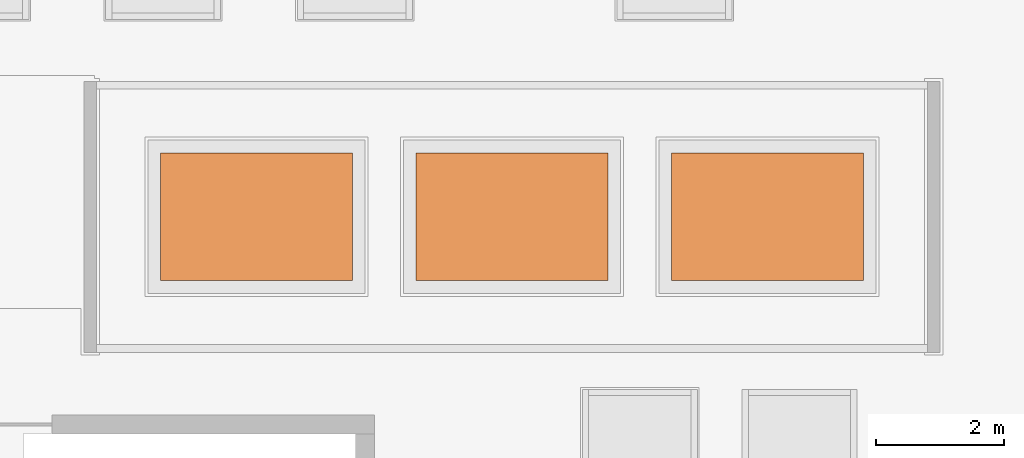
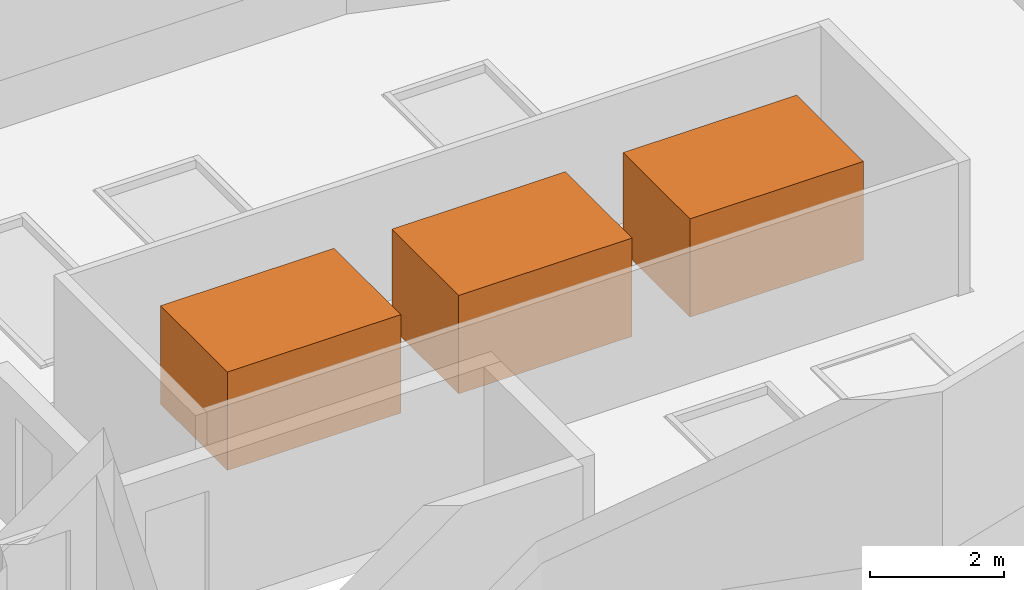
# One storey, part 4 of 4: 3 proxies.
"""IFC4 building model written with IfcOpenShell, lengths in metres."""

from ifc_helpers import new_model, si_unit, direction, frame, origin, origin_2d, place, context, subcontext, project, spatial, rectangle, extrude, material, type_object, element, save


model = new_model("IFC4")

# Units and contexts
model_context = context("Model", 3, precision=1e-05, world=origin(), true_north=direction((0.0, 1.0)))
body_context = subcontext(model_context, "Body", "Model", "MODEL_VIEW")
ifc_project = project(units=[si_unit("LENGTHUNIT", "METRE"), si_unit("AREAUNIT", "SQUARE_METRE"), si_unit("VOLUMEUNIT", "CUBIC_METRE"), si_unit("PLANEANGLEUNIT", "RADIAN"), si_unit("MASSUNIT", "GRAM", prefix="KILO")], contexts=[model_context])

# Site, building, storey
site_placement = place(None, origin())
site = spatial("IfcSite", under=ifc_project, at=site_placement, CompositionType="ELEMENT")
building_placement = place(site_placement, origin())
building = spatial("IfcBuilding", under=site, at=building_placement, Name="Plateau Cross Towers", CompositionType="ELEMENT")
storey_placement = place(building_placement, frame((0.0, 0.0, 312.39990234375)))
storey = spatial("IfcBuildingStorey", under=building, at=storey_placement, Name="Roof", CompositionType="ELEMENT", Elevation=312.39990234375)

# Proxies
ifc_material = material(Name="Galvanised steel casing", Category="steel")
building_element_proxy_type_1 = type_object("IfcBuildingElementProxyType", Name="Air handling unit 3000x2000x1800", PredefinedType="USERDEFINED", material=ifc_material)
proxy_1_placement = place(storey_placement, frame((11.75, 9.0, 0.419921875), z_axis=(0.0, 0.0, 1.0), x_axis=(1.0, 0.0, 0.0)))
element("IfcBuildingElementProxy", 1, at=proxy_1_placement, inside=storey, type_object=building_element_proxy_type_1, Name="Air handling unit 1", ObjectType="AIR HANDLING UNIT", PredefinedType="USERDEFINED", context=body_context, shape_type="SweptSolid", body=[
    extrude(rectangle(XDim=3.0, YDim=2.0, at=origin_2d()), origin(), (0.0, 0.0, 1.0), 1.800048828125),
])
building_element_proxy_type_2 = type_object("IfcBuildingElementProxyType", Name="Chiller 3000x2000x1800", PredefinedType="USERDEFINED", material=ifc_material)
proxy_2_placement = place(storey_placement, frame((15.75, 9.0, 0.419921875), z_axis=(0.0, 0.0, 1.0), x_axis=(1.0, 0.0, 0.0)))
element("IfcBuildingElementProxy", 2, at=proxy_2_placement, inside=storey, type_object=building_element_proxy_type_2, Name="Chiller 2", ObjectType="CHILLER", PredefinedType="USERDEFINED", context=body_context, shape_type="SweptSolid", body=[
    extrude(rectangle(XDim=3.0, YDim=2.0, at=origin_2d()), origin(), (0.0, 0.0, 1.0), 1.800048828125),
])
building_element_proxy_type_3 = type_object("IfcBuildingElementProxyType", Name="Cooling tower 3000x2000x1800", PredefinedType="USERDEFINED", material=ifc_material)
proxy_3_placement = place(storey_placement, frame((19.75, 9.0, 0.419921875), z_axis=(0.0, 0.0, 1.0), x_axis=(1.0, 0.0, 0.0)))
element("IfcBuildingElementProxy", 3, at=proxy_3_placement, inside=storey, type_object=building_element_proxy_type_3, Name="Cooling tower 3", ObjectType="COOLING TOWER", PredefinedType="USERDEFINED", context=body_context, shape_type="SweptSolid", body=[
    extrude(rectangle(XDim=3.0, YDim=2.0, at=origin_2d()), origin(), (0.0, 0.0, 1.0), 1.800048828125),
])

save(model, "model.ifc")
